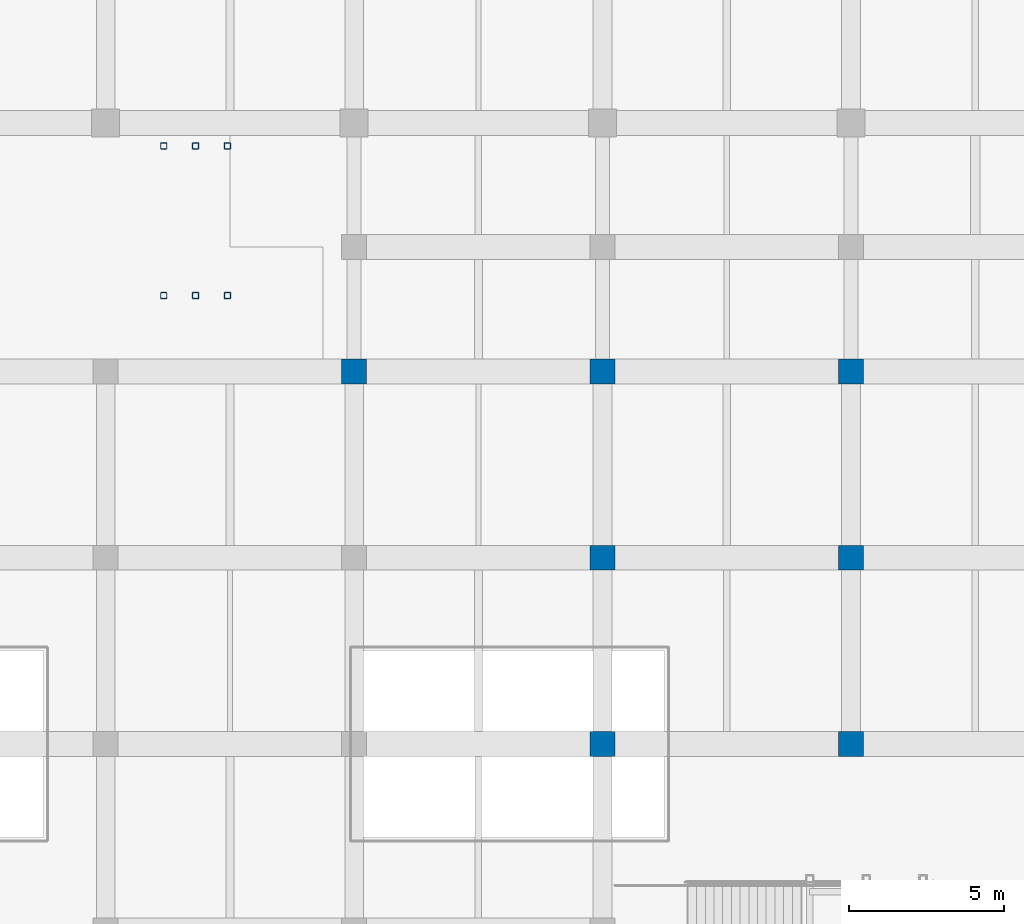
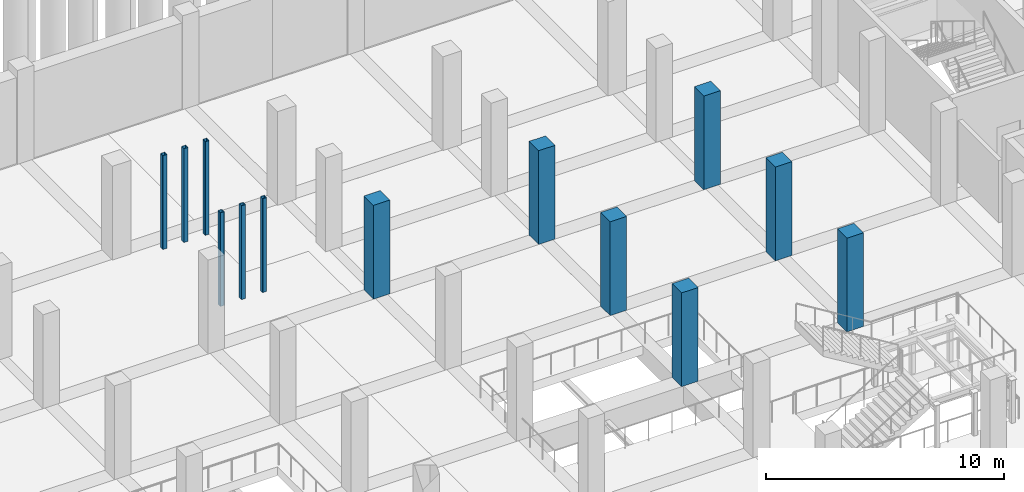
# One storey, part 9 of 36: 13 columns.
"""IFC4 building model written with IfcOpenShell, lengths in metres."""

from ifc_helpers import new_model, si_unit, direction, frame, origin, origin_2d, place, context, subcontext, project, spatial, rectangle, hollow_rectangle, extrude, material, material_profile, profile_set, type_object, element, save


model = new_model("IFC4")

# Units and contexts
model_context = context("Model", 3, precision=1e-05, world=origin(), true_north=direction((0.0, 1.0)))
body_context = subcontext(model_context, "Body", "Model", "MODEL_VIEW")
ifc_project = project(units=[si_unit("LENGTHUNIT", "METRE"), si_unit("AREAUNIT", "SQUARE_METRE"), si_unit("VOLUMEUNIT", "CUBIC_METRE"), si_unit("PLANEANGLEUNIT", "RADIAN"), si_unit("MASSUNIT", "GRAM", prefix="KILO")], contexts=[model_context])

# Site, building, storey
site_placement = place(None, origin())
site = spatial("IfcSite", under=ifc_project, at=site_placement, CompositionType="ELEMENT")
building_placement = place(site_placement, origin())
building = spatial("IfcBuilding", under=site, at=building_placement, Name="Verrall Gate Interchange", CompositionType="ELEMENT")
storey_placement = place(building_placement, frame((0.0, 0.0, -4.800048828125)))
storey = spatial("IfcBuildingStorey", under=building, at=storey_placement, Name="B1", CompositionType="ELEMENT", Elevation=-4.800048828125)

# Columns
ifc_material_1 = material(Name="Concrete CSA A23.1 40 MPa (Class N)", Category="concrete")
ifc_material_profile_1 = material_profile(ifc_material_1, rectangle(XDim=0.800048828125, YDim=0.800048828125, at=origin_2d()), Name="RC800x800")
ifc_profile_set_1 = profile_set([ifc_material_profile_1], Name="Concrete CSA A23.1 40 MPa (Class N)")
column_type_1 = type_object("IfcColumnType", Name="C-02 Column RC800x800", PredefinedType="COLUMN", material=ifc_profile_set_1)
for number, where, z_axis, x_axis, name in (
    (1, (76.0, 40.0, 0.0), (0.0, 0.0, 1.0), (1.0, 0.0, 0.0), "B1 Column COL-B1-0995 (C-02)"),
    (2, (84.0, 28.0, 0.0), (0.0, 0.0, 1.0), (1.0, 0.0, 0.0), "B1 Column COL-B1-1029 (C-02)"),
    (3, (84.0, 34.0, 0.0), (0.0, 0.0, 1.0), (1.0, 0.0, 0.0), "B1 Column COL-B1-1031 (C-02)"),
    (4, (84.0, 40.0, 0.0), (0.0, 0.0, 1.0), (1.0, 0.0, 0.0), "B1 Column COL-B1-1033 (C-02)"),
    (5, (92.0, 28.0, 0.0), (0.0, 0.0, 1.0), (1.0, 0.0, 0.0), "B1 Column COL-B1-1065 (C-02)"),
    (6, (92.0, 34.0, 0.0), (0.0, 0.0, 1.0), (1.0, 0.0, 0.0), "B1 Column COL-B1-1067 (C-02)"),
    (7, (92.0, 40.0, 0.0), (0.0, 0.0, 1.0), (1.0, 0.0, 0.0), "B1 Column COL-B1-1069 (C-02)"),
):
    element("IfcColumn", number, at=place(storey_placement, frame(where, z_axis=z_axis, x_axis=x_axis)), inside=storey, type_object=column_type_1, Name=name, PredefinedType="COLUMN", context=body_context, shape_type="SweptSolid", body=[
        extrude(rectangle(XDim=0.800048828125, YDim=0.800048828125, at=origin_2d()), origin(), (0.0, 0.0, 1.0), 4.800048828125),
    ])
ifc_material_2 = material(Name="Structural Steel CSA G40.21 350W", Category="steel")
ifc_material_profile_2 = material_profile(ifc_material_2, hollow_rectangle(XDim=0.202880859375, YDim=0.202880859375, WallThickness=0.009521484375, InnerFilletRadius=0.009521484375, OuterFilletRadius=0.01904296875, at=origin_2d()), Name="HSS203x203x9.5")
ifc_profile_set_2 = profile_set([ifc_material_profile_2], Name="Structural Steel CSA G40.21 350W")
column_type_2 = type_object("IfcColumnType", Name="C-14 Column HSS203x203x9.5", PredefinedType="COLUMN", material=ifc_profile_set_2)
for number, where, z_axis, x_axis, name in (
    (8, (69.8701171875, 42.43994140625, 0.0), (0.0, 0.0, 1.0), (1.0, 0.0, 0.0), "B1 ST-12 Landing Cradle Column"),
    (9, (69.8701171875, 47.260009765625, 0.0), (0.0, 0.0, 1.0), (1.0, 0.0, 0.0), "B1 ST-12 Landing Cradle Column"),
    (10, (70.89501953125, 42.43994140625, 0.0), (0.0, 0.0, 1.0), (1.0, 0.0, 0.0), "B1 ST-12 Landing Cradle Column"),
    (11, (70.89501953125, 47.260009765625, 0.0), (0.0, 0.0, 1.0), (1.0, 0.0, 0.0), "B1 ST-12 Landing Cradle Column"),
    (12, (71.919921875, 42.43994140625, 0.0), (0.0, 0.0, 1.0), (1.0, 0.0, 0.0), "B1 ST-12 Landing Cradle Column"),
    (13, (71.919921875, 47.260009765625, 0.0), (0.0, 0.0, 1.0), (1.0, 0.0, 0.0), "B1 ST-12 Landing Cradle Column"),
):
    element("IfcColumn", number, at=place(storey_placement, frame(where, z_axis=z_axis, x_axis=x_axis)), inside=storey, type_object=column_type_2, Name=name, PredefinedType="COLUMN", context=body_context, shape_type="SweptSolid", body=[
        extrude(hollow_rectangle(XDim=0.202880859375, YDim=0.202880859375, WallThickness=0.009521484375, InnerFilletRadius=0.009521484375, OuterFilletRadius=0.01904296875, at=origin_2d()), origin(), (0.0, 0.0, 1.0), 4.800048828125),
    ])

save(model, "model.ifc")
